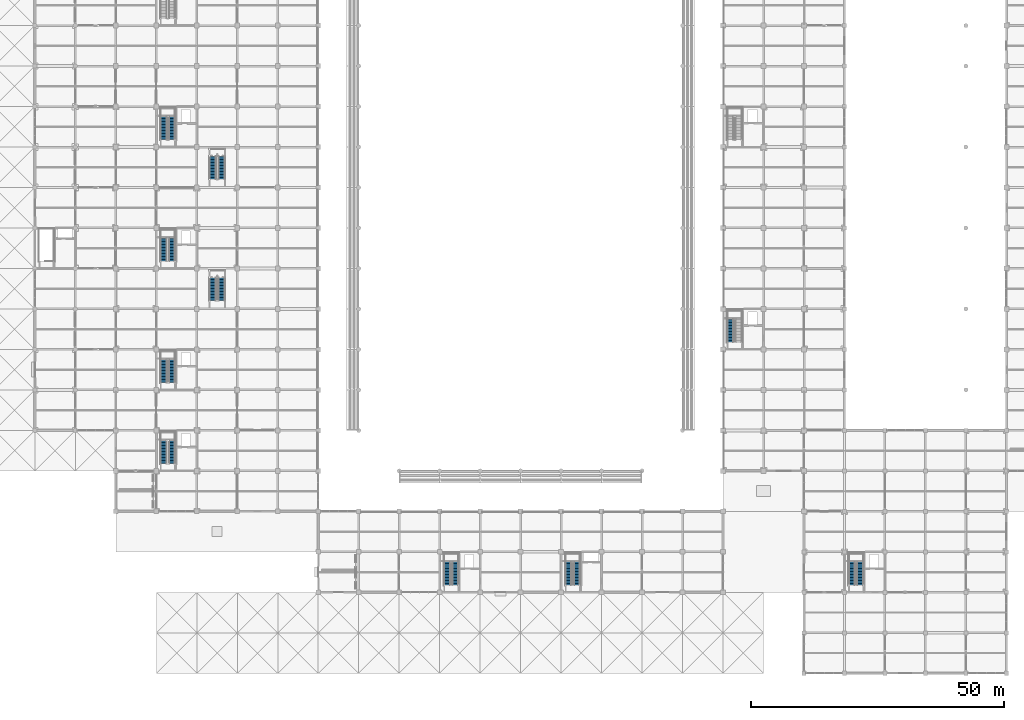
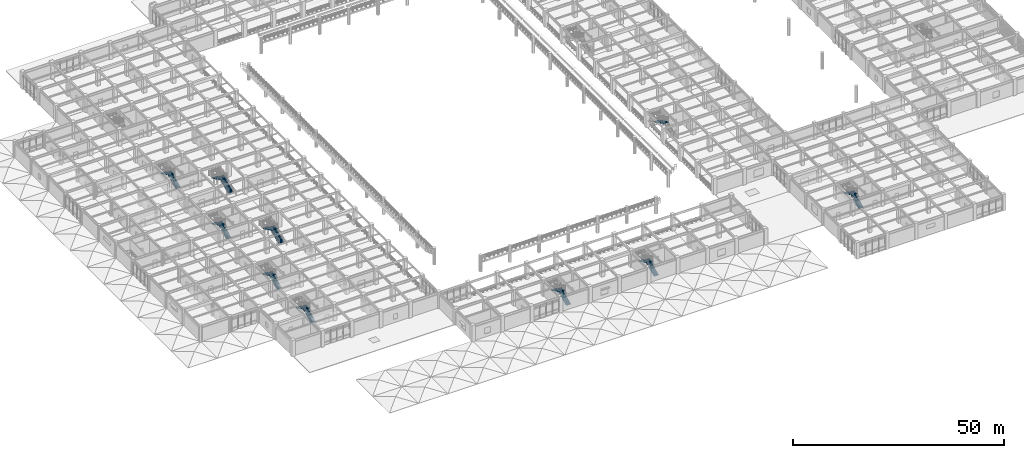
# One storey, part 83 of 109: 19 stair flights, 10 elements without a shape of their own.
"""IFC4 building model written with IfcOpenShell, lengths in metres."""

from ifc_helpers import new_model, si_unit, direction, frame, origin, place, context, subcontext, project, spatial, polyline, outline, extrude, material, type_object, element, aggregate, save


model = new_model("IFC4")

# Units and contexts
model_context = context("Model", 3, precision=1e-05, world=origin(), true_north=direction((0.0, 1.0)))
body_context = subcontext(model_context, "Body", "Model", "MODEL_VIEW")
ifc_project = project(units=[si_unit("LENGTHUNIT", "METRE"), si_unit("AREAUNIT", "SQUARE_METRE"), si_unit("VOLUMEUNIT", "CUBIC_METRE"), si_unit("PLANEANGLEUNIT", "RADIAN"), si_unit("MASSUNIT", "GRAM", prefix="KILO")], contexts=[model_context])

# Site, building, storey
site_placement = place(None, origin())
site = spatial("IfcSite", under=ifc_project, at=site_placement, CompositionType="ELEMENT")
building_placement = place(site_placement, origin())
building = spatial("IfcBuilding", under=site, at=building_placement, Name="Haebicheon Civic Stadium", CompositionType="ELEMENT")
storey_placement = place(building_placement, frame((0.0, 0.0, 9.60009765625)))
storey = spatial("IfcBuildingStorey", under=building, at=storey_placement, Name="L03", CompositionType="ELEMENT", Elevation=9.60009765625)

# Stair, stair flights
ifc_material_1 = material(Name="Concrete C40/50", Category="concrete")
stair_type_1 = type_object("IfcStairType", Name="STR-DL-W126-H48", PredefinedType="HALF_TURN_STAIR", material=ifc_material_1)
stair_1_placement = place(storey_placement, origin())
stair_1 = element("IfcStair", 1, at=stair_1_placement, inside=storey, type_object=stair_type_1, material=ifc_material_1, Name="L03 Escape stair ST-01", PredefinedType="HALF_TURN_STAIR")
ifc_material_2 = material(Name="Concrete C40/50", Category="concrete")
stair_flight_type_1 = type_object("IfcStairFlightType", Name="STF-DL-W126-H48", PredefinedType="STRAIGHT", material=ifc_material_2)
stair_flight_1_placement = place(storey_placement, frame((35.110107421875, 41.449951171875, 0.0), z_axis=(0.0, 0.0, 1.0), x_axis=(0.0, 1.0, 0.0)))
stair_flight_1 = element("IfcStairFlight", 2, at=stair_flight_1_placement, type_object=stair_flight_type_1, material=ifc_material_2, Name="ST-01 flight 1", NumberOfRisers=16, NumberOfTreads=15, PredefinedType="STRAIGHT", RiserHeight=0.15, TreadLength=0.3, context=body_context, shape_type="SweptSolid", body=[
    extrude(outline(polyline([(0.0, 0.0), (0.0, 0.14990234375), (0.300048828125, 0.14990234375), (0.300048828125, 0.300048828125), (0.60009765625, 0.300048828125), (0.60009765625, 0.449951171875), (0.89990234375, 0.449951171875), (0.89990234375, 0.60009765625), (1.199951171875, 0.60009765625), (1.199951171875, 0.75), (1.5, 0.75), (1.5, 0.89990234375), (1.800048828125, 0.89990234375), (1.800048828125, 1.050048828125), (2.10009765625, 1.050048828125), (2.10009765625, 1.199951171875), (2.39990234375, 1.199951171875), (2.39990234375, 1.35009765625), (2.699951171875, 1.35009765625), (2.699951171875, 1.5), (3.0, 1.5), (3.0, 1.64990234375), (3.300048828125, 1.64990234375), (3.300048828125, 1.800048828125), (3.60009765625, 1.800048828125), (3.60009765625, 1.949951171875), (3.89990234375, 1.949951171875), (3.89990234375, 2.10009765625), (4.199951171875, 2.10009765625), (4.199951171875, 2.25), (4.5, 2.25), (4.5, 2.39990234375), (4.5, 2.0712890625), (0.357666015625, 0.0), (0.0, 0.0)])), frame((0.0, 0.6298828125, 0.0), z_axis=(0.0, -1.0, 0.0), x_axis=(1.0, 0.0, 0.0)), (0.0, 0.0, 1.0), 1.260009765625),
])
stair_flight_2_placement = place(storey_placement, frame((33.469970703125, 45.949951171875, 2.39990234375), z_axis=(0.0, 0.0, 1.0), x_axis=(0.0, -1.0, 0.0)))
stair_flight_2 = element("IfcStairFlight", 3, at=stair_flight_2_placement, type_object=stair_flight_type_1, material=ifc_material_2, Name="ST-01 flight 2", NumberOfRisers=16, NumberOfTreads=15, PredefinedType="STRAIGHT", RiserHeight=0.15, TreadLength=0.3, context=body_context, shape_type="SweptSolid", body=[
    extrude(outline(polyline([(0.0, 0.0), (0.0, 0.14990234375), (0.300048828125, 0.14990234375), (0.300048828125, 0.300048828125), (0.60009765625, 0.300048828125), (0.60009765625, 0.449951171875), (0.89990234375, 0.449951171875), (0.89990234375, 0.60009765625), (1.199951171875, 0.60009765625), (1.199951171875, 0.75), (1.5, 0.75), (1.5, 0.89990234375), (1.800048828125, 0.89990234375), (1.800048828125, 1.050048828125), (2.10009765625, 1.050048828125), (2.10009765625, 1.199951171875), (2.39990234375, 1.199951171875), (2.39990234375, 1.35009765625), (2.699951171875, 1.35009765625), (2.699951171875, 1.5), (3.0, 1.5), (3.0, 1.64990234375), (3.300048828125, 1.64990234375), (3.300048828125, 1.800048828125), (3.60009765625, 1.800048828125), (3.60009765625, 1.949951171875), (3.89990234375, 1.949951171875), (3.89990234375, 2.10009765625), (4.199951171875, 2.10009765625), (4.199951171875, 2.25), (4.5, 2.25), (4.5, 2.39990234375), (4.5, 2.0712890625), (0.357666015625, 0.0), (0.0, 0.0)])), frame((0.0, 0.6298828125, 0.0), z_axis=(0.0, -1.0, 0.0), x_axis=(1.0, 0.0, 0.0)), (0.0, 0.0, 1.0), 1.260009765625),
])
aggregate(stair_1, [stair_flight_1, stair_flight_2])

stair_2_placement = place(storey_placement, origin())
stair_2 = element("IfcStair", 4, at=stair_2_placement, inside=storey, type_object=stair_type_1, material=ifc_material_1, Name="L03 Escape stair ST-03", PredefinedType="HALF_TURN_STAIR")
stair_flight_3_placement = place(storey_placement, frame((35.110107421875, 81.449951171875, 0.0), z_axis=(0.0, 0.0, 1.0), x_axis=(0.0, 1.0, 0.0)))
stair_flight_3 = element("IfcStairFlight", 5, at=stair_flight_3_placement, type_object=stair_flight_type_1, material=ifc_material_2, Name="ST-03 flight 1", NumberOfRisers=16, NumberOfTreads=15, PredefinedType="STRAIGHT", RiserHeight=0.15, TreadLength=0.3, context=body_context, shape_type="SweptSolid", body=[
    extrude(outline(polyline([(0.0, 0.0), (0.0, 0.14990234375), (0.300048828125, 0.14990234375), (0.300048828125, 0.300048828125), (0.60009765625, 0.300048828125), (0.60009765625, 0.449951171875), (0.89990234375, 0.449951171875), (0.89990234375, 0.60009765625), (1.199951171875, 0.60009765625), (1.199951171875, 0.75), (1.5, 0.75), (1.5, 0.89990234375), (1.800048828125, 0.89990234375), (1.800048828125, 1.050048828125), (2.10009765625, 1.050048828125), (2.10009765625, 1.199951171875), (2.39990234375, 1.199951171875), (2.39990234375, 1.35009765625), (2.699951171875, 1.35009765625), (2.699951171875, 1.5), (3.0, 1.5), (3.0, 1.64990234375), (3.300048828125, 1.64990234375), (3.300048828125, 1.800048828125), (3.60009765625, 1.800048828125), (3.60009765625, 1.949951171875), (3.89990234375, 1.949951171875), (3.89990234375, 2.10009765625), (4.199951171875, 2.10009765625), (4.199951171875, 2.25), (4.5, 2.25), (4.5, 2.39990234375), (4.5, 2.0712890625), (0.357666015625, 0.0), (0.0, 0.0)])), frame((0.0, 0.6298828125, 0.0), z_axis=(0.0, -1.0, 0.0), x_axis=(1.0, 0.0, 0.0)), (0.0, 0.0, 1.0), 1.260009765625),
])
stair_flight_4_placement = place(storey_placement, frame((33.469970703125, 85.949951171875, 2.39990234375), z_axis=(0.0, 0.0, 1.0), x_axis=(0.0, -1.0, 0.0)))
stair_flight_4 = element("IfcStairFlight", 6, at=stair_flight_4_placement, type_object=stair_flight_type_1, material=ifc_material_2, Name="ST-03 flight 2", NumberOfRisers=16, NumberOfTreads=15, PredefinedType="STRAIGHT", RiserHeight=0.15, TreadLength=0.3, context=body_context, shape_type="SweptSolid", body=[
    extrude(outline(polyline([(0.0, 0.0), (0.0, 0.14990234375), (0.300048828125, 0.14990234375), (0.300048828125, 0.300048828125), (0.60009765625, 0.300048828125), (0.60009765625, 0.449951171875), (0.89990234375, 0.449951171875), (0.89990234375, 0.60009765625), (1.199951171875, 0.60009765625), (1.199951171875, 0.75), (1.5, 0.75), (1.5, 0.89990234375), (1.800048828125, 0.89990234375), (1.800048828125, 1.050048828125), (2.10009765625, 1.050048828125), (2.10009765625, 1.199951171875), (2.39990234375, 1.199951171875), (2.39990234375, 1.35009765625), (2.699951171875, 1.35009765625), (2.699951171875, 1.5), (3.0, 1.5), (3.0, 1.64990234375), (3.300048828125, 1.64990234375), (3.300048828125, 1.800048828125), (3.60009765625, 1.800048828125), (3.60009765625, 1.949951171875), (3.89990234375, 1.949951171875), (3.89990234375, 2.10009765625), (4.199951171875, 2.10009765625), (4.199951171875, 2.25), (4.5, 2.25), (4.5, 2.39990234375), (4.5, 2.0712890625), (0.357666015625, 0.0), (0.0, 0.0)])), frame((0.0, 0.6298828125, 0.0), z_axis=(0.0, -1.0, 0.0), x_axis=(1.0, 0.0, 0.0)), (0.0, 0.0, 1.0), 1.260009765625),
])
aggregate(stair_2, [stair_flight_3, stair_flight_4])

stair_3_placement = place(storey_placement, origin())
stair_3 = element("IfcStair", 7, at=stair_3_placement, inside=storey, type_object=stair_type_1, material=ifc_material_1, Name="L03 Escape stair ST-07", PredefinedType="HALF_TURN_STAIR")
stair_flight_5_placement = place(storey_placement, frame((115.110107421875, 17.449951171875, 0.0), z_axis=(0.0, 0.0, 1.0), x_axis=(0.0, 1.0, 0.0)))
stair_flight_5 = element("IfcStairFlight", 8, at=stair_flight_5_placement, type_object=stair_flight_type_1, material=ifc_material_2, Name="ST-07 flight 1", NumberOfRisers=16, NumberOfTreads=15, PredefinedType="STRAIGHT", RiserHeight=0.15, TreadLength=0.3, context=body_context, shape_type="SweptSolid", body=[
    extrude(outline(polyline([(0.0, 0.0), (0.0, 0.14990234375), (0.300048828125, 0.14990234375), (0.300048828125, 0.300048828125), (0.60009765625, 0.300048828125), (0.60009765625, 0.449951171875), (0.89990234375, 0.449951171875), (0.89990234375, 0.60009765625), (1.199951171875, 0.60009765625), (1.199951171875, 0.75), (1.5, 0.75), (1.5, 0.89990234375), (1.800048828125, 0.89990234375), (1.800048828125, 1.050048828125), (2.10009765625, 1.050048828125), (2.10009765625, 1.199951171875), (2.39990234375, 1.199951171875), (2.39990234375, 1.35009765625), (2.699951171875, 1.35009765625), (2.699951171875, 1.5), (3.0, 1.5), (3.0, 1.64990234375), (3.300048828125, 1.64990234375), (3.300048828125, 1.800048828125), (3.60009765625, 1.800048828125), (3.60009765625, 1.949951171875), (3.89990234375, 1.949951171875), (3.89990234375, 2.10009765625), (4.199951171875, 2.10009765625), (4.199951171875, 2.25), (4.5, 2.25), (4.5, 2.39990234375), (4.5, 2.0712890625), (0.357666015625, 0.0), (0.0, 0.0)])), frame((0.0, 0.6298828125, 0.0), z_axis=(0.0, -1.0, 0.0), x_axis=(1.0, 0.0, 0.0)), (0.0, 0.0, 1.0), 1.260009765625),
])
stair_flight_6_placement = place(storey_placement, frame((113.469970703125, 21.949951171875, 2.39990234375), z_axis=(0.0, 0.0, 1.0), x_axis=(0.0, -1.0, 0.0)))
stair_flight_6 = element("IfcStairFlight", 9, at=stair_flight_6_placement, type_object=stair_flight_type_1, material=ifc_material_2, Name="ST-07 flight 2", NumberOfRisers=16, NumberOfTreads=15, PredefinedType="STRAIGHT", RiserHeight=0.15, TreadLength=0.3, context=body_context, shape_type="SweptSolid", body=[
    extrude(outline(polyline([(0.0, 0.0), (0.0, 0.14990234375), (0.300048828125, 0.14990234375), (0.300048828125, 0.300048828125), (0.60009765625, 0.300048828125), (0.60009765625, 0.449951171875), (0.89990234375, 0.449951171875), (0.89990234375, 0.60009765625), (1.199951171875, 0.60009765625), (1.199951171875, 0.75), (1.5, 0.75), (1.5, 0.89990234375), (1.800048828125, 0.89990234375), (1.800048828125, 1.050048828125), (2.10009765625, 1.050048828125), (2.10009765625, 1.199951171875), (2.39990234375, 1.199951171875), (2.39990234375, 1.35009765625), (2.699951171875, 1.35009765625), (2.699951171875, 1.5), (3.0, 1.5), (3.0, 1.64990234375), (3.300048828125, 1.64990234375), (3.300048828125, 1.800048828125), (3.60009765625, 1.800048828125), (3.60009765625, 1.949951171875), (3.89990234375, 1.949951171875), (3.89990234375, 2.10009765625), (4.199951171875, 2.10009765625), (4.199951171875, 2.25), (4.5, 2.25), (4.5, 2.39990234375), (4.5, 2.0712890625), (0.357666015625, 0.0), (0.0, 0.0)])), frame((0.0, 0.6298828125, 0.0), z_axis=(0.0, -1.0, 0.0), x_axis=(1.0, 0.0, 0.0)), (0.0, 0.0, 1.0), 1.260009765625),
])
aggregate(stair_3, [stair_flight_5, stair_flight_6])

ifc_material_3 = material(Name="Concrete C40/50", Category="concrete")
stair_type_2 = type_object("IfcStairType", Name="STR-DL-W128-H48", PredefinedType="HALF_TURN_STAIR", material=ifc_material_3)
stair_4_placement = place(storey_placement, origin())
stair_4 = element("IfcStair", 10, at=stair_4_placement, inside=storey, type_object=stair_type_2, material=ifc_material_3, Name="L03 Escape stair ST-02", PredefinedType="HALF_TURN_STAIR")
ifc_material_4 = material(Name="Concrete C40/50", Category="concrete")
stair_flight_type_2 = type_object("IfcStairFlightType", Name="STF-DL-W128-H48", PredefinedType="STRAIGHT", material=ifc_material_4)
stair_flight_7_placement = place(storey_placement, frame((35.10009765625, 57.449951171875, 0.0), z_axis=(0.0, 0.0, 1.0), x_axis=(0.0, 1.0, 0.0)))
stair_flight_7 = element("IfcStairFlight", 11, at=stair_flight_7_placement, type_object=stair_flight_type_2, material=ifc_material_4, Name="ST-02 flight 1", NumberOfRisers=16, NumberOfTreads=15, PredefinedType="STRAIGHT", RiserHeight=0.15, TreadLength=0.3, context=body_context, shape_type="SweptSolid", body=[
    extrude(outline(polyline([(0.0, 0.0), (0.0, 0.14990234375), (0.300048828125, 0.14990234375), (0.300048828125, 0.300048828125), (0.60009765625, 0.300048828125), (0.60009765625, 0.449951171875), (0.89990234375, 0.449951171875), (0.89990234375, 0.60009765625), (1.199951171875, 0.60009765625), (1.199951171875, 0.75), (1.5, 0.75), (1.5, 0.89990234375), (1.800048828125, 0.89990234375), (1.800048828125, 1.050048828125), (2.10009765625, 1.050048828125), (2.10009765625, 1.199951171875), (2.39990234375, 1.199951171875), (2.39990234375, 1.35009765625), (2.699951171875, 1.35009765625), (2.699951171875, 1.5), (3.0, 1.5), (3.0, 1.64990234375), (3.300048828125, 1.64990234375), (3.300048828125, 1.800048828125), (3.60009765625, 1.800048828125), (3.60009765625, 1.949951171875), (3.89990234375, 1.949951171875), (3.89990234375, 2.10009765625), (4.199951171875, 2.10009765625), (4.199951171875, 2.25), (4.5, 2.25), (4.5, 2.39990234375), (4.5, 2.0712890625), (0.357666015625, 0.0), (0.0, 0.0)])), frame((0.0, 0.64013671875, 0.0), z_axis=(0.0, -1.0, 0.0), x_axis=(1.0, 0.0, 0.0)), (0.0, 0.0, 1.0), 1.280029296875),
])
stair_flight_8_placement = place(storey_placement, frame((33.47998046875, 61.949951171875, 2.39990234375), z_axis=(0.0, 0.0, 1.0), x_axis=(0.0, -1.0, 0.0)))
stair_flight_8 = element("IfcStairFlight", 12, at=stair_flight_8_placement, type_object=stair_flight_type_2, material=ifc_material_4, Name="ST-02 flight 2", NumberOfRisers=16, NumberOfTreads=15, PredefinedType="STRAIGHT", RiserHeight=0.15, TreadLength=0.3, context=body_context, shape_type="SweptSolid", body=[
    extrude(outline(polyline([(0.0, 0.0), (0.0, 0.14990234375), (0.300048828125, 0.14990234375), (0.300048828125, 0.300048828125), (0.60009765625, 0.300048828125), (0.60009765625, 0.449951171875), (0.89990234375, 0.449951171875), (0.89990234375, 0.60009765625), (1.199951171875, 0.60009765625), (1.199951171875, 0.75), (1.5, 0.75), (1.5, 0.89990234375), (1.800048828125, 0.89990234375), (1.800048828125, 1.050048828125), (2.10009765625, 1.050048828125), (2.10009765625, 1.199951171875), (2.39990234375, 1.199951171875), (2.39990234375, 1.35009765625), (2.699951171875, 1.35009765625), (2.699951171875, 1.5), (3.0, 1.5), (3.0, 1.64990234375), (3.300048828125, 1.64990234375), (3.300048828125, 1.800048828125), (3.60009765625, 1.800048828125), (3.60009765625, 1.949951171875), (3.89990234375, 1.949951171875), (3.89990234375, 2.10009765625), (4.199951171875, 2.10009765625), (4.199951171875, 2.25), (4.5, 2.25), (4.5, 2.39990234375), (4.5, 2.0712890625), (0.357666015625, 0.0), (0.0, 0.0)])), frame((0.0, 0.64013671875, 0.0), z_axis=(0.0, -1.0, 0.0), x_axis=(1.0, 0.0, 0.0)), (0.0, 0.0, 1.0), 1.280029296875),
])
aggregate(stair_4, [stair_flight_7, stair_flight_8])

stair_5_placement = place(storey_placement, origin())
stair_5 = element("IfcStair", 13, at=stair_5_placement, inside=storey, type_object=stair_type_2, material=ifc_material_3, Name="L03 Escape stair ST-04", PredefinedType="HALF_TURN_STAIR")
stair_flight_9_placement = place(storey_placement, frame((35.10009765625, 105.449951171875, 0.0), z_axis=(0.0, 0.0, 1.0), x_axis=(0.0, 1.0, 0.0)))
stair_flight_9 = element("IfcStairFlight", 14, at=stair_flight_9_placement, type_object=stair_flight_type_2, material=ifc_material_4, Name="ST-04 flight 1", NumberOfRisers=16, NumberOfTreads=15, PredefinedType="STRAIGHT", RiserHeight=0.15, TreadLength=0.3, context=body_context, shape_type="SweptSolid", body=[
    extrude(outline(polyline([(0.0, 0.0), (0.0, 0.14990234375), (0.300048828125, 0.14990234375), (0.300048828125, 0.300048828125), (0.60009765625, 0.300048828125), (0.60009765625, 0.449951171875), (0.89990234375, 0.449951171875), (0.89990234375, 0.60009765625), (1.199951171875, 0.60009765625), (1.199951171875, 0.75), (1.5, 0.75), (1.5, 0.89990234375), (1.800048828125, 0.89990234375), (1.800048828125, 1.050048828125), (2.10009765625, 1.050048828125), (2.10009765625, 1.199951171875), (2.39990234375, 1.199951171875), (2.39990234375, 1.35009765625), (2.699951171875, 1.35009765625), (2.699951171875, 1.5), (3.0, 1.5), (3.0, 1.64990234375), (3.300048828125, 1.64990234375), (3.300048828125, 1.800048828125), (3.60009765625, 1.800048828125), (3.60009765625, 1.949951171875), (3.89990234375, 1.949951171875), (3.89990234375, 2.10009765625), (4.199951171875, 2.10009765625), (4.199951171875, 2.25), (4.5, 2.25), (4.5, 2.39990234375), (4.5, 2.0712890625), (0.357666015625, 0.0), (0.0, 0.0)])), frame((0.0, 0.64013671875, 0.0), z_axis=(0.0, -1.0, 0.0), x_axis=(1.0, 0.0, 0.0)), (0.0, 0.0, 1.0), 1.280029296875),
])
stair_flight_10_placement = place(storey_placement, frame((33.47998046875, 109.949951171875, 2.39990234375), z_axis=(0.0, 0.0, 1.0), x_axis=(0.0, -1.0, 0.0)))
stair_flight_10 = element("IfcStairFlight", 15, at=stair_flight_10_placement, type_object=stair_flight_type_2, material=ifc_material_4, Name="ST-04 flight 2", NumberOfRisers=16, NumberOfTreads=15, PredefinedType="STRAIGHT", RiserHeight=0.15, TreadLength=0.3, context=body_context, shape_type="SweptSolid", body=[
    extrude(outline(polyline([(0.0, 0.0), (0.0, 0.14990234375), (0.300048828125, 0.14990234375), (0.300048828125, 0.300048828125), (0.60009765625, 0.300048828125), (0.60009765625, 0.449951171875), (0.89990234375, 0.449951171875), (0.89990234375, 0.60009765625), (1.199951171875, 0.60009765625), (1.199951171875, 0.75), (1.5, 0.75), (1.5, 0.89990234375), (1.800048828125, 0.89990234375), (1.800048828125, 1.050048828125), (2.10009765625, 1.050048828125), (2.10009765625, 1.199951171875), (2.39990234375, 1.199951171875), (2.39990234375, 1.35009765625), (2.699951171875, 1.35009765625), (2.699951171875, 1.5), (3.0, 1.5), (3.0, 1.64990234375), (3.300048828125, 1.64990234375), (3.300048828125, 1.800048828125), (3.60009765625, 1.800048828125), (3.60009765625, 1.949951171875), (3.89990234375, 1.949951171875), (3.89990234375, 2.10009765625), (4.199951171875, 2.10009765625), (4.199951171875, 2.25), (4.5, 2.25), (4.5, 2.39990234375), (4.5, 2.0712890625), (0.357666015625, 0.0), (0.0, 0.0)])), frame((0.0, 0.64013671875, 0.0), z_axis=(0.0, -1.0, 0.0), x_axis=(1.0, 0.0, 0.0)), (0.0, 0.0, 1.0), 1.280029296875),
])
aggregate(stair_5, [stair_flight_9, stair_flight_10])

stair_6_placement = place(storey_placement, origin())
stair_6 = element("IfcStair", 16, at=stair_6_placement, inside=storey, type_object=stair_type_2, material=ifc_material_3, Name="L03 Escape stair ST-06", PredefinedType="HALF_TURN_STAIR")
stair_flight_11_placement = place(storey_placement, frame((91.10009765625, 17.449951171875, 0.0), z_axis=(0.0, 0.0, 1.0), x_axis=(0.0, 1.0, 0.0)))
stair_flight_11 = element("IfcStairFlight", 17, at=stair_flight_11_placement, type_object=stair_flight_type_2, material=ifc_material_4, Name="ST-06 flight 1", NumberOfRisers=16, NumberOfTreads=15, PredefinedType="STRAIGHT", RiserHeight=0.15, TreadLength=0.3, context=body_context, shape_type="SweptSolid", body=[
    extrude(outline(polyline([(0.0, 0.0), (0.0, 0.14990234375), (0.300048828125, 0.14990234375), (0.300048828125, 0.300048828125), (0.60009765625, 0.300048828125), (0.60009765625, 0.449951171875), (0.89990234375, 0.449951171875), (0.89990234375, 0.60009765625), (1.199951171875, 0.60009765625), (1.199951171875, 0.75), (1.5, 0.75), (1.5, 0.89990234375), (1.800048828125, 0.89990234375), (1.800048828125, 1.050048828125), (2.10009765625, 1.050048828125), (2.10009765625, 1.199951171875), (2.39990234375, 1.199951171875), (2.39990234375, 1.35009765625), (2.699951171875, 1.35009765625), (2.699951171875, 1.5), (3.0, 1.5), (3.0, 1.64990234375), (3.300048828125, 1.64990234375), (3.300048828125, 1.800048828125), (3.60009765625, 1.800048828125), (3.60009765625, 1.949951171875), (3.89990234375, 1.949951171875), (3.89990234375, 2.10009765625), (4.199951171875, 2.10009765625), (4.199951171875, 2.25), (4.5, 2.25), (4.5, 2.39990234375), (4.5, 2.0712890625), (0.357666015625, 0.0), (0.0, 0.0)])), frame((0.0, 0.64013671875, 0.0), z_axis=(0.0, -1.0, 0.0), x_axis=(1.0, 0.0, 0.0)), (0.0, 0.0, 1.0), 1.280029296875),
])
stair_flight_12_placement = place(storey_placement, frame((89.47998046875, 21.949951171875, 2.39990234375), z_axis=(0.0, 0.0, 1.0), x_axis=(0.0, -1.0, 0.0)))
stair_flight_12 = element("IfcStairFlight", 18, at=stair_flight_12_placement, type_object=stair_flight_type_2, material=ifc_material_4, Name="ST-06 flight 2", NumberOfRisers=16, NumberOfTreads=15, PredefinedType="STRAIGHT", RiserHeight=0.15, TreadLength=0.3, context=body_context, shape_type="SweptSolid", body=[
    extrude(outline(polyline([(0.0, 0.0), (0.0, 0.14990234375), (0.300048828125, 0.14990234375), (0.300048828125, 0.300048828125), (0.60009765625, 0.300048828125), (0.60009765625, 0.449951171875), (0.89990234375, 0.449951171875), (0.89990234375, 0.60009765625), (1.199951171875, 0.60009765625), (1.199951171875, 0.75), (1.5, 0.75), (1.5, 0.89990234375), (1.800048828125, 0.89990234375), (1.800048828125, 1.050048828125), (2.10009765625, 1.050048828125), (2.10009765625, 1.199951171875), (2.39990234375, 1.199951171875), (2.39990234375, 1.35009765625), (2.699951171875, 1.35009765625), (2.699951171875, 1.5), (3.0, 1.5), (3.0, 1.64990234375), (3.300048828125, 1.64990234375), (3.300048828125, 1.800048828125), (3.60009765625, 1.800048828125), (3.60009765625, 1.949951171875), (3.89990234375, 1.949951171875), (3.89990234375, 2.10009765625), (4.199951171875, 2.10009765625), (4.199951171875, 2.25), (4.5, 2.25), (4.5, 2.39990234375), (4.5, 2.0712890625), (0.357666015625, 0.0), (0.0, 0.0)])), frame((0.0, 0.64013671875, 0.0), z_axis=(0.0, -1.0, 0.0), x_axis=(1.0, 0.0, 0.0)), (0.0, 0.0, 1.0), 1.280029296875),
])
aggregate(stair_6, [stair_flight_11, stair_flight_12])

# Stair, stair flight
stair_7_placement = place(storey_placement, origin())
stair_7 = element("IfcStair", 19, at=stair_7_placement, inside=storey, type_object=stair_type_2, material=ifc_material_3, Name="L03 Escape stair ST-10", PredefinedType="HALF_TURN_STAIR")
stair_flight_13_placement = place(storey_placement, frame((145.47998046875, 69.949951171875, 2.39990234375), z_axis=(0.0, 0.0, 1.0), x_axis=(0.0, -1.0, 0.0)))
stair_flight_13 = element("IfcStairFlight", 20, at=stair_flight_13_placement, type_object=stair_flight_type_2, material=ifc_material_4, Name="ST-10 flight 2", NumberOfRisers=16, NumberOfTreads=15, PredefinedType="STRAIGHT", RiserHeight=0.15, TreadLength=0.3, context=body_context, shape_type="SweptSolid", body=[
    extrude(outline(polyline([(0.0, 0.0), (0.0, 0.14990234375), (0.300048828125, 0.14990234375), (0.300048828125, 0.300048828125), (0.60009765625, 0.300048828125), (0.60009765625, 0.449951171875), (0.89990234375, 0.449951171875), (0.89990234375, 0.60009765625), (1.199951171875, 0.60009765625), (1.199951171875, 0.75), (1.5, 0.75), (1.5, 0.89990234375), (1.800048828125, 0.89990234375), (1.800048828125, 1.050048828125), (2.10009765625, 1.050048828125), (2.10009765625, 1.199951171875), (2.39990234375, 1.199951171875), (2.39990234375, 1.35009765625), (2.699951171875, 1.35009765625), (2.699951171875, 1.5), (3.0, 1.5), (3.0, 1.64990234375), (3.300048828125, 1.64990234375), (3.300048828125, 1.800048828125), (3.60009765625, 1.800048828125), (3.60009765625, 1.949951171875), (3.89990234375, 1.949951171875), (3.89990234375, 2.10009765625), (4.199951171875, 2.10009765625), (4.199951171875, 2.25), (4.5, 2.25), (4.5, 2.39990234375), (4.5, 2.0712890625), (0.357666015625, 0.0), (0.0, 0.0)])), frame((0.0, 0.64013671875, 0.0), z_axis=(0.0, -1.0, 0.0), x_axis=(1.0, 0.0, 0.0)), (0.0, 0.0, 1.0), 1.280029296875),
])
aggregate(stair_7, [stair_flight_13])

# Stair, stair flights
stair_8_placement = place(storey_placement, origin())
stair_8 = element("IfcStair", 21, at=stair_8_placement, inside=storey, type_object=stair_type_2, material=ifc_material_3, Name="L03 Escape stair ST-14", PredefinedType="HALF_TURN_STAIR")
stair_flight_14_placement = place(storey_placement, frame((171.10009765625, 17.449951171875, 0.0), z_axis=(0.0, 0.0, 1.0), x_axis=(0.0, 1.0, 0.0)))
stair_flight_14 = element("IfcStairFlight", 22, at=stair_flight_14_placement, type_object=stair_flight_type_2, material=ifc_material_4, Name="ST-14 flight 1", NumberOfRisers=16, NumberOfTreads=15, PredefinedType="STRAIGHT", RiserHeight=0.15, TreadLength=0.3, context=body_context, shape_type="SweptSolid", body=[
    extrude(outline(polyline([(0.0, 0.0), (0.0, 0.14990234375), (0.300048828125, 0.14990234375), (0.300048828125, 0.300048828125), (0.60009765625, 0.300048828125), (0.60009765625, 0.449951171875), (0.89990234375, 0.449951171875), (0.89990234375, 0.60009765625), (1.199951171875, 0.60009765625), (1.199951171875, 0.75), (1.5, 0.75), (1.5, 0.89990234375), (1.800048828125, 0.89990234375), (1.800048828125, 1.050048828125), (2.10009765625, 1.050048828125), (2.10009765625, 1.199951171875), (2.39990234375, 1.199951171875), (2.39990234375, 1.35009765625), (2.699951171875, 1.35009765625), (2.699951171875, 1.5), (3.0, 1.5), (3.0, 1.64990234375), (3.300048828125, 1.64990234375), (3.300048828125, 1.800048828125), (3.60009765625, 1.800048828125), (3.60009765625, 1.949951171875), (3.89990234375, 1.949951171875), (3.89990234375, 2.10009765625), (4.199951171875, 2.10009765625), (4.199951171875, 2.25), (4.5, 2.25), (4.5, 2.39990234375), (4.5, 2.0712890625), (0.357666015625, 0.0), (0.0, 0.0)])), frame((0.0, 0.64013671875, 0.0), z_axis=(0.0, -1.0, 0.0), x_axis=(1.0, 0.0, 0.0)), (0.0, 0.0, 1.0), 1.280029296875),
])
stair_flight_15_placement = place(storey_placement, frame((169.47998046875, 21.949951171875, 2.39990234375), z_axis=(0.0, 0.0, 1.0), x_axis=(0.0, -1.0, 0.0)))
stair_flight_15 = element("IfcStairFlight", 23, at=stair_flight_15_placement, type_object=stair_flight_type_2, material=ifc_material_4, Name="ST-14 flight 2", NumberOfRisers=16, NumberOfTreads=15, PredefinedType="STRAIGHT", RiserHeight=0.15, TreadLength=0.3, context=body_context, shape_type="SweptSolid", body=[
    extrude(outline(polyline([(0.0, 0.0), (0.0, 0.14990234375), (0.300048828125, 0.14990234375), (0.300048828125, 0.300048828125), (0.60009765625, 0.300048828125), (0.60009765625, 0.449951171875), (0.89990234375, 0.449951171875), (0.89990234375, 0.60009765625), (1.199951171875, 0.60009765625), (1.199951171875, 0.75), (1.5, 0.75), (1.5, 0.89990234375), (1.800048828125, 0.89990234375), (1.800048828125, 1.050048828125), (2.10009765625, 1.050048828125), (2.10009765625, 1.199951171875), (2.39990234375, 1.199951171875), (2.39990234375, 1.35009765625), (2.699951171875, 1.35009765625), (2.699951171875, 1.5), (3.0, 1.5), (3.0, 1.64990234375), (3.300048828125, 1.64990234375), (3.300048828125, 1.800048828125), (3.60009765625, 1.800048828125), (3.60009765625, 1.949951171875), (3.89990234375, 1.949951171875), (3.89990234375, 2.10009765625), (4.199951171875, 2.10009765625), (4.199951171875, 2.25), (4.5, 2.25), (4.5, 2.39990234375), (4.5, 2.0712890625), (0.357666015625, 0.0), (0.0, 0.0)])), frame((0.0, 0.64013671875, 0.0), z_axis=(0.0, -1.0, 0.0), x_axis=(1.0, 0.0, 0.0)), (0.0, 0.0, 1.0), 1.280029296875),
])
aggregate(stair_8, [stair_flight_14, stair_flight_15])

ifc_material_5 = material(Name="Concrete C40/50", Category="concrete")
stair_type_3 = type_object("IfcStairType", Name="STR-DL-W136-H48", PredefinedType="HALF_TURN_STAIR", material=ifc_material_5)
stair_9_placement = place(storey_placement, origin())
stair_9 = element("IfcStair", 24, at=stair_9_placement, inside=storey, type_object=stair_type_3, material=ifc_material_5, Name="Vomitory stair VM-05 (L03)", PredefinedType="HALF_TURN_STAIR")
ifc_material_6 = material(Name="Concrete C40/50", Category="concrete")
stair_flight_type_3 = type_object("IfcStairFlightType", Name="STF-DL-W136-H48", PredefinedType="STRAIGHT", material=ifc_material_6)
stair_flight_16_placement = place(storey_placement, frame((44.9599609375, 97.64990234375, 0.0), z_axis=(0.0, 0.0, 1.0), x_axis=(0.0, 1.0, 0.0)))
stair_flight_16 = element("IfcStairFlight", 25, at=stair_flight_16_placement, type_object=stair_flight_type_3, material=ifc_material_6, Name="VM-05 flight 1", NumberOfRisers=16, NumberOfTreads=15, PredefinedType="STRAIGHT", RiserHeight=0.15, TreadLength=0.3, context=body_context, shape_type="SweptSolid", body=[
    extrude(outline(polyline([(0.0, 0.0), (0.0, 0.14990234375), (0.300048828125, 0.14990234375), (0.300048828125, 0.300048828125), (0.60009765625, 0.300048828125), (0.60009765625, 0.449951171875), (0.89990234375, 0.449951171875), (0.89990234375, 0.60009765625), (1.199951171875, 0.60009765625), (1.199951171875, 0.75), (1.5, 0.75), (1.5, 0.89990234375), (1.800048828125, 0.89990234375), (1.800048828125, 1.050048828125), (2.10009765625, 1.050048828125), (2.10009765625, 1.199951171875), (2.39990234375, 1.199951171875), (2.39990234375, 1.35009765625), (2.699951171875, 1.35009765625), (2.699951171875, 1.5), (3.0, 1.5), (3.0, 1.64990234375), (3.300048828125, 1.64990234375), (3.300048828125, 1.800048828125), (3.60009765625, 1.800048828125), (3.60009765625, 1.949951171875), (3.89990234375, 1.949951171875), (3.89990234375, 2.10009765625), (4.199951171875, 2.10009765625), (4.199951171875, 2.25), (4.5, 2.25), (4.5, 2.39990234375), (4.5, 2.0712890625), (0.357666015625, 0.0), (0.0, 0.0)])), frame((0.0, 0.68017578125, 0.0), z_axis=(0.0, -1.0, 0.0), x_axis=(1.0, 0.0, 0.0)), (0.0, 0.0, 1.0), 1.360107421875),
])
stair_flight_17_placement = place(storey_placement, frame((43.139892578125, 102.14990234375, 2.39990234375), z_axis=(0.0, 0.0, 1.0), x_axis=(0.0, -1.0, 0.0)))
stair_flight_17 = element("IfcStairFlight", 26, at=stair_flight_17_placement, type_object=stair_flight_type_3, material=ifc_material_6, Name="VM-05 flight 2", NumberOfRisers=16, NumberOfTreads=15, PredefinedType="STRAIGHT", RiserHeight=0.15, TreadLength=0.3, context=body_context, shape_type="SweptSolid", body=[
    extrude(outline(polyline([(0.0, 0.0), (0.0, 0.14990234375), (0.300048828125, 0.14990234375), (0.300048828125, 0.300048828125), (0.60009765625, 0.300048828125), (0.60009765625, 0.449951171875), (0.89990234375, 0.449951171875), (0.89990234375, 0.60009765625), (1.199951171875, 0.60009765625), (1.199951171875, 0.75), (1.5, 0.75), (1.5, 0.89990234375), (1.800048828125, 0.89990234375), (1.800048828125, 1.050048828125), (2.10009765625, 1.050048828125), (2.10009765625, 1.199951171875), (2.39990234375, 1.199951171875), (2.39990234375, 1.35009765625), (2.699951171875, 1.35009765625), (2.699951171875, 1.5), (3.0, 1.5), (3.0, 1.64990234375), (3.300048828125, 1.64990234375), (3.300048828125, 1.800048828125), (3.60009765625, 1.800048828125), (3.60009765625, 1.949951171875), (3.89990234375, 1.949951171875), (3.89990234375, 2.10009765625), (4.199951171875, 2.10009765625), (4.199951171875, 2.25), (4.5, 2.25), (4.5, 2.39990234375), (4.5, 2.0712890625), (0.357666015625, 0.0), (0.0, 0.0)])), frame((0.0, 0.68017578125, 0.0), z_axis=(0.0, -1.0, 0.0), x_axis=(1.0, 0.0, 0.0)), (0.0, 0.0, 1.0), 1.360107421875),
])
aggregate(stair_9, [stair_flight_16, stair_flight_17])

ifc_material_7 = material(Name="Concrete C40/50", Category="concrete")
stair_type_4 = type_object("IfcStairType", Name="STR-DL-W140-H48", PredefinedType="HALF_TURN_STAIR", material=ifc_material_7)
stair_10_placement = place(storey_placement, origin())
stair_10 = element("IfcStair", 27, at=stair_10_placement, inside=storey, type_object=stair_type_4, material=ifc_material_7, Name="Vomitory stair VM-04 (L03)", PredefinedType="HALF_TURN_STAIR")
ifc_material_8 = material(Name="Concrete C40/50", Category="concrete")
stair_flight_type_4 = type_object("IfcStairFlightType", Name="STF-DL-W140-H48", PredefinedType="STRAIGHT", material=ifc_material_8)
stair_flight_18_placement = place(storey_placement, frame((44.93994140625, 73.64990234375, 0.0), z_axis=(0.0, 0.0, 1.0), x_axis=(0.0, 1.0, 0.0)))
stair_flight_18 = element("IfcStairFlight", 28, at=stair_flight_18_placement, type_object=stair_flight_type_4, material=ifc_material_8, Name="VM-04 flight 1", NumberOfRisers=16, NumberOfTreads=15, PredefinedType="STRAIGHT", RiserHeight=0.15, TreadLength=0.3, context=body_context, shape_type="SweptSolid", body=[
    extrude(outline(polyline([(0.0, 0.0), (0.0, 0.14990234375), (0.300048828125, 0.14990234375), (0.300048828125, 0.300048828125), (0.60009765625, 0.300048828125), (0.60009765625, 0.449951171875), (0.89990234375, 0.449951171875), (0.89990234375, 0.60009765625), (1.199951171875, 0.60009765625), (1.199951171875, 0.75), (1.5, 0.75), (1.5, 0.89990234375), (1.800048828125, 0.89990234375), (1.800048828125, 1.050048828125), (2.10009765625, 1.050048828125), (2.10009765625, 1.199951171875), (2.39990234375, 1.199951171875), (2.39990234375, 1.35009765625), (2.699951171875, 1.35009765625), (2.699951171875, 1.5), (3.0, 1.5), (3.0, 1.64990234375), (3.300048828125, 1.64990234375), (3.300048828125, 1.800048828125), (3.60009765625, 1.800048828125), (3.60009765625, 1.949951171875), (3.89990234375, 1.949951171875), (3.89990234375, 2.10009765625), (4.199951171875, 2.10009765625), (4.199951171875, 2.25), (4.5, 2.25), (4.5, 2.39990234375), (4.5, 2.0712890625), (0.357666015625, 0.0), (0.0, 0.0)])), frame((0.0, 0.699951171875, 0.0), z_axis=(0.0, -1.0, 0.0), x_axis=(1.0, 0.0, 0.0)), (0.0, 0.0, 1.0), 1.39990234375),
])
stair_flight_19_placement = place(storey_placement, frame((43.159912109375, 78.14990234375, 2.39990234375), z_axis=(0.0, 0.0, 1.0), x_axis=(0.0, -1.0, 0.0)))
stair_flight_19 = element("IfcStairFlight", 29, at=stair_flight_19_placement, type_object=stair_flight_type_4, material=ifc_material_8, Name="VM-04 flight 2", NumberOfRisers=16, NumberOfTreads=15, PredefinedType="STRAIGHT", RiserHeight=0.15, TreadLength=0.3, context=body_context, shape_type="SweptSolid", body=[
    extrude(outline(polyline([(0.0, 0.0), (0.0, 0.14990234375), (0.300048828125, 0.14990234375), (0.300048828125, 0.300048828125), (0.60009765625, 0.300048828125), (0.60009765625, 0.449951171875), (0.89990234375, 0.449951171875), (0.89990234375, 0.60009765625), (1.199951171875, 0.60009765625), (1.199951171875, 0.75), (1.5, 0.75), (1.5, 0.89990234375), (1.800048828125, 0.89990234375), (1.800048828125, 1.050048828125), (2.10009765625, 1.050048828125), (2.10009765625, 1.199951171875), (2.39990234375, 1.199951171875), (2.39990234375, 1.35009765625), (2.699951171875, 1.35009765625), (2.699951171875, 1.5), (3.0, 1.5), (3.0, 1.64990234375), (3.300048828125, 1.64990234375), (3.300048828125, 1.800048828125), (3.60009765625, 1.800048828125), (3.60009765625, 1.949951171875), (3.89990234375, 1.949951171875), (3.89990234375, 2.10009765625), (4.199951171875, 2.10009765625), (4.199951171875, 2.25), (4.5, 2.25), (4.5, 2.39990234375), (4.5, 2.0712890625), (0.357666015625, 0.0), (0.0, 0.0)])), frame((0.0, 0.699951171875, 0.0), z_axis=(0.0, -1.0, 0.0), x_axis=(1.0, 0.0, 0.0)), (0.0, 0.0, 1.0), 1.39990234375),
])
aggregate(stair_10, [stair_flight_18, stair_flight_19])

save(model, "model.ifc")
